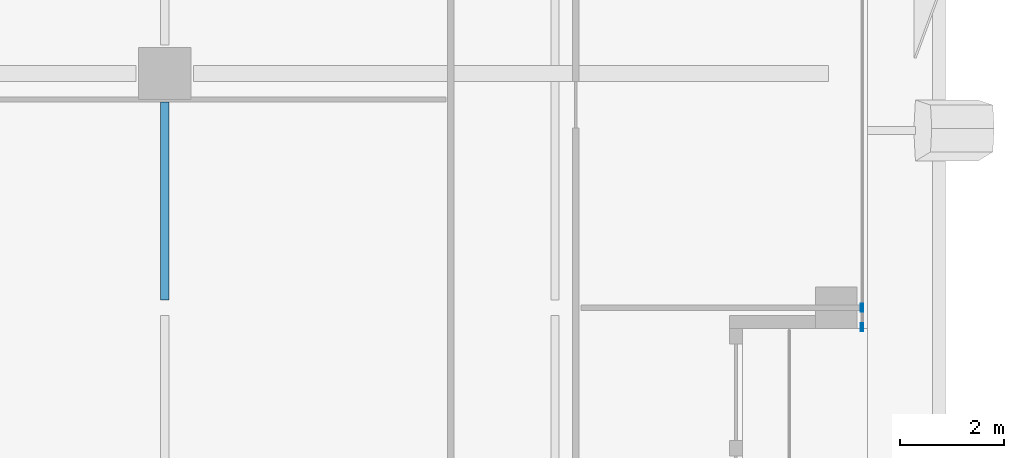
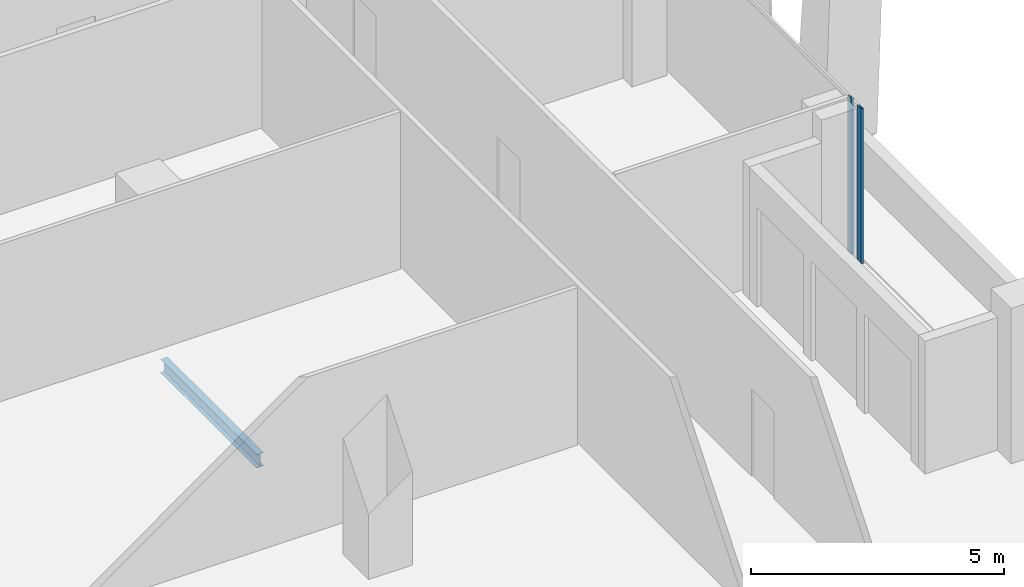
# One storey, part 10 of 32: 2 members, 1 beam, 1 element without a shape of its own.
"""IFC4 building model written with IfcOpenShell, lengths in metres."""

import ifcopenshell
import ifcopenshell.guid

model = None  # the IFC model being written
_history = None  # IfcOwnerHistory: only IFC2X3 demands one
_inside = {}  # id of a spatial element -> (the spatial element, [elements in it])
_under = {}  # id of a project, library or spatial element -> (it, [spatial elements below it])
_declared = {}  # id of a project -> (the project, [libraries it declares])
_typed = {}  # id of a type object -> (the type object, [elements of that type])
_made_of = {}  # id of a material, layer set ... -> (it, [elements and type objects made of it])


def new_model(schema):
    """Start an empty IFC model of exactly this schema.

    Asked for "IFC4X3", IfcOpenShell would pick the latest addendum, in which some entities
    have other attributes; the version numbers below select the first issue.
    IFC2X3 requires an IfcOwnerHistory on every rooted entity: one is made here for all.
    """
    global model, _history
    if schema == "IFC4X3":
        model = ifcopenshell.file(schema_version=(4, 3, 0, 0))
    else:
        model = ifcopenshell.file(schema=schema)
    _inside.clear()
    _under.clear()
    _declared.clear()
    _typed.clear()
    _made_of.clear()
    _history = None
    if model.schema == "IFC2X3":
        org = make("IfcOrganization", Name="unknown")
        user = make(
            "IfcPersonAndOrganization",
            ThePerson=make("IfcPerson", FamilyName="unknown"),
            TheOrganization=org,
        )
        app = make(
            "IfcApplication",
            ApplicationDeveloper=org,
            Version="unknown",
            ApplicationFullName="unknown",
            ApplicationIdentifier="unknown",
        )
        _history = make(
            "IfcOwnerHistory",
            OwningUser=user,
            OwningApplication=app,
            ChangeAction="ADDED",
            CreationDate=0,
        )
    return model


def make(cls, **values):
    """One entity of the class cls with the attributes given. An attribute that is None is left unset."""
    return model.create_entity(
        cls, **{name: value for name, value in values.items() if value is not None}
    )


def rooted(cls, **values):
    """An entity with a GlobalId (a new one), such as an element, a storey or a relation."""
    return make(cls, GlobalId=ifcopenshell.guid.new(), OwnerHistory=_history, **values)


def si_unit(unit_type, name, prefix=None):
    """IfcSIUnit, for example si_unit("LENGTHUNIT", "METRE", prefix="MILLI")."""
    return make("IfcSIUnit", UnitType=unit_type, Prefix=prefix, Name=name)


def assignment(units):
    """IfcUnitAssignment: the units of a project."""
    return None if units is None else make("IfcUnitAssignment", Units=units)


def point(xyz):
    """IfcCartesianPoint."""
    return None if xyz is None else make("IfcCartesianPoint", Coordinates=xyz)


def direction(xyz):
    """IfcDirection."""
    return None if xyz is None else make("IfcDirection", DirectionRatios=xyz)


def frame(location, z_axis=None, x_axis=None):
    """IfcAxis2Placement3D, a coordinate frame: its origin and axes. An axis left out is left unset."""
    return make(
        "IfcAxis2Placement3D",
        Location=point(location),
        Axis=direction(z_axis),
        RefDirection=direction(x_axis),
    )


def frame_2d(location, x_axis=None):
    """IfcAxis2Placement2D, a coordinate frame in the plane: its origin and x axis."""
    return make(
        "IfcAxis2Placement2D", Location=point(location), RefDirection=direction(x_axis)
    )


def origin():
    """The frame at (0, 0, 0) with its axes left unset."""
    return frame((0.0, 0.0, 0.0))


def origin_2d():
    """The frame at (0, 0) in the plane with its x axis left unset."""
    return frame_2d((0.0, 0.0))


def place(relative_to, where):
    """IfcLocalPlacement: puts the frame where relative to a parent placement (None: the world)."""
    return make(
        "IfcLocalPlacement", PlacementRelTo=relative_to, RelativePlacement=where
    )


def context(
    kind, dimensions, precision=None, world=None, true_north=None, identifier=None
):
    """IfcGeometricRepresentationContext, for example the 3D "Model" context."""
    return make(
        "IfcGeometricRepresentationContext",
        ContextIdentifier=identifier,
        ContextType=kind,
        CoordinateSpaceDimension=dimensions,
        Precision=precision,
        WorldCoordinateSystem=world,
        TrueNorth=true_north,
    )


def subcontext(parent, identifier, kind, view, scale=None):
    """IfcGeometricRepresentationSubContext, for example "Body" below "Model"."""
    return make(
        "IfcGeometricRepresentationSubContext",
        ContextIdentifier=identifier,
        ContextType=kind,
        ParentContext=parent,
        TargetScale=scale,
        TargetView=view,
    )


def project(units=None, contexts=None):
    """IfcProject with its units and contexts."""
    return rooted(
        "IfcProject",
        Name="project",
        RepresentationContexts=contexts,
        UnitsInContext=assignment(units),
    )


def spatial(cls, under=None, at=None, **own):
    """A site, building, storey or space (cls), placed at a placement, below another one or the project."""
    s = rooted(cls, ObjectPlacement=at, **own)
    if under is not None:
        _under.setdefault(under.id(), (under, []))[1].append(s)
    return s


def profile(cls, at=None, kind="AREA", **sizes):
    """A parametric profile (cls). Its sizes go by their IFC names, for example OverallWidth=200.0."""
    return make(cls, ProfileType=kind, Position=at, **sizes)


def hollow_rectangle(**sizes):
    """IfcRectangleHollowProfileDef."""
    return profile("IfcRectangleHollowProfileDef", **sizes)


def i_section(**sizes):
    """IfcIShapeProfileDef."""
    return profile("IfcIShapeProfileDef", **sizes)


def extrude(swept, where, along, depth):
    """IfcExtrudedAreaSolid: the profile swept, set in the frame where, extruded along a direction by depth."""
    return make(
        "IfcExtrudedAreaSolid",
        SweptArea=swept,
        Position=where,
        ExtrudedDirection=direction(along),
        Depth=depth,
    )


def shape(context_of_items, identifier, shape_type, items):
    """IfcShapeRepresentation: the items that make up one representation, for example the "Body"."""
    return make(
        "IfcShapeRepresentation",
        ContextOfItems=context_of_items,
        RepresentationIdentifier=identifier,
        RepresentationType=shape_type,
        Items=items,
    )


def source(mapping_origin, context_of_items, identifier, shape_type, items):
    """IfcRepresentationMap: a shape defined once, which mapped items show again and again."""
    return make(
        "IfcRepresentationMap",
        MappingOrigin=mapping_origin,
        MappedRepresentation=shape(context_of_items, identifier, shape_type, items),
    )


def transform(
    local_origin,
    x_axis=None,
    y_axis=None,
    z_axis=None,
    scale=None,
    scale2=None,
    scale3=None,
    uniform=True,
):
    """IfcCartesianTransformationOperator3D, or its non-uniform kind. x_axis, y_axis, z_axis: its Axis1, 2, 3."""
    if uniform:
        return make(
            "IfcCartesianTransformationOperator3D",
            Axis1=direction(x_axis),
            Axis2=direction(y_axis),
            LocalOrigin=point(local_origin),
            Scale=scale,
            Axis3=direction(z_axis),
        )
    return make(
        "IfcCartesianTransformationOperator3DnonUniform",
        Axis1=direction(x_axis),
        Axis2=direction(y_axis),
        LocalOrigin=point(local_origin),
        Scale=scale,
        Axis3=direction(z_axis),
        Scale2=scale2,
        Scale3=scale3,
    )


def mapped(mapping_source, mapping_target):
    """IfcMappedItem: shows the shape of a source again, moved by a transform."""
    return make(
        "IfcMappedItem", MappingSource=mapping_source, MappingTarget=mapping_target
    )


def material(Name=None, Category=None):
    """IfcMaterial."""
    return make("IfcMaterial", Name=Name, Category=Category)


def material_profile(
    of_material, cross_section, Name=None, Category=None, Priority=None
):
    """IfcMaterialProfile: a cross section and its material."""
    return make(
        "IfcMaterialProfile",
        Name=Name,
        Material=of_material,
        Profile=cross_section,
        Priority=Priority,
        Category=Category,
    )


def profile_set(profiles, Name=None, composite=None):
    """IfcMaterialProfileSet."""
    return make(
        "IfcMaterialProfileSet",
        Name=Name,
        MaterialProfiles=profiles,
        CompositeProfile=composite,
    )


def made_of(thing, what):
    """Note that an element or type object is made of a material, layer set ...; save() writes the relation."""
    if what is not None:
        _made_of.setdefault(what.id(), (what, []))[1].append(thing)
    return thing


def type_object(cls, material=None, **own):
    """A type object (cls), such as IfcWallType, which elements share."""
    return made_of(rooted(cls, **own), material)


def element(
    cls,
    number,
    at=None,
    inside=None,
    cuts=None,
    type_object=None,
    material=None,
    context=None,
    identifier="Body",
    shape_type=None,
    held_by="IfcProductDefinitionShape",
    body=None,
    shapes=None,
    **own,
):
    """One element of the class cls, such as IfcWall. Its Tag is "e" and its number.

    at: its placement. inside: the storey or other place that contains it. cuts: it is an
    opening in that element (IfcRelVoidsElement). A single representation is given by context,
    identifier, shape_type and body (its items); several are given by shapes. held_by: the class
    of the entity that holds the representations. save() writes the other relations.
    """
    e = rooted(cls, Tag="e%d" % number, ObjectPlacement=at, **own)
    if body is not None:
        shapes = [shape(context, identifier, shape_type, body)]
    if shapes is not None:
        e.Representation = make(held_by, Representations=shapes)
    if inside is not None:
        _inside.setdefault(inside.id(), (inside, []))[1].append(e)
    if cuts is not None:
        rooted(
            "IfcRelVoidsElement", RelatingBuildingElement=cuts, RelatedOpeningElement=e
        )
    if type_object is not None:
        _typed.setdefault(type_object.id(), (type_object, []))[1].append(e)
    return made_of(e, material)


def aggregate(whole, parts):
    """IfcRelAggregates: a whole, such as a stair, and the parts it consists of."""
    return rooted("IfcRelAggregates", RelatingObject=whole, RelatedObjects=parts)


def save(model, path):
    """Write the relations noted so far, then the file.

    IfcRelAggregates (storeys below a building ...), IfcRelContainedInSpatialStructure (elements
    in a storey), IfcRelDefinesByType, IfcRelAssociatesMaterial and IfcRelDeclares: one each for
    every whole, place, type object, material and project.
    """
    for whole, parts in _under.values():
        aggregate(whole, parts)
    for where, things in _inside.values():
        rooted(
            "IfcRelContainedInSpatialStructure",
            RelatedElements=things,
            RelatingStructure=where,
        )
    for kind, things in _typed.values():
        rooted("IfcRelDefinesByType", RelatedObjects=things, RelatingType=kind)
    for what, things in _made_of.values():
        rooted("IfcRelAssociatesMaterial", RelatedObjects=things, RelatingMaterial=what)
    for by, libraries in _declared.values():
        rooted("IfcRelDeclares", RelatingContext=by, RelatedDefinitions=libraries)
    model.write(path)


model = new_model("IFC4")

# Units and contexts
model_context = context("Model", 3, precision=1e-05, world=origin(), true_north=direction((0.0, 1.0)))
body_context = subcontext(model_context, "Body", "Model", "MODEL_VIEW")
ifc_project = project(units=[si_unit("LENGTHUNIT", "METRE"), si_unit("AREAUNIT", "SQUARE_METRE"), si_unit("VOLUMEUNIT", "CUBIC_METRE"), si_unit("PLANEANGLEUNIT", "RADIAN"), si_unit("MASSUNIT", "GRAM", prefix="KILO")], contexts=[model_context])

# Site, building, storey
site_placement = place(None, origin())
site = spatial("IfcSite", under=ifc_project, at=site_placement, CompositionType="ELEMENT")
building_placement = place(site_placement, origin())
building = spatial("IfcBuilding", under=site, at=building_placement, Name="Khomas Fold Tower", CompositionType="ELEMENT")
storey_placement = place(building_placement, frame((0.0, 0.0, 282.199951171875)))
storey = spatial("IfcBuildingStorey", under=building, at=storey_placement, Name="L63", CompositionType="ELEMENT", Elevation=282.199951171875)

# Beam
ifc_material_1 = material(Name="Steel S355", Category="steel")
ifc_material_profile_1 = material_profile(ifc_material_1, i_section(OverallWidth=0.159912109375, OverallDepth=0.330078125, WebThickness=0.007568359375, FlangeThickness=0.011474609375, at=origin_2d()), Name="IPE 330")
ifc_profile_set_1 = profile_set([ifc_material_profile_1], Name="Steel S355")
beam_type = type_object("IfcBeamType", Name="IPE 330 beam JB1", PredefinedType="BEAM", material=ifc_profile_set_1)
shared_shape_1 = source(origin(), body_context, "Body", "SweptSolid", [
    extrude(i_section(OverallWidth=0.159912109375, OverallDepth=0.330078125, WebThickness=0.007568359375, FlangeThickness=0.011474609375, at=origin_2d()), origin(), (0.0, 0.0, 1.0), 3.799072265625),
])
beam_placement = place(storey_placement, frame((34.5, 27.15087890625, -0.4150390625), z_axis=(0.0, 1.0, 0.0), x_axis=(-1.0, 0.0, 0.0)))
element("IfcBeam", 1, at=beam_placement, inside=storey, type_object=beam_type, Name="JB1", PredefinedType="BEAM", context=body_context, shape_type="MappedRepresentation", body=[
    mapped(shared_shape_1, transform((0.0, 0.0, 0.0))),
])

# Curtain wall, members
ifc_material_2 = material(Name="Aluminium framed double glazing", Category="aluminium")
curtain_wall_type = type_object("IfcCurtainWallType", Name="SK-Unitised clear-glass wall, upper floors CW3", PredefinedType="NOTDEFINED", material=ifc_material_2)
curtain_wall_placement = place(storey_placement, origin())
curtain_wall = element("IfcCurtainWall", 2, at=curtain_wall_placement, inside=storey, type_object=curtain_wall_type, Name="CW3 run L63 03-1", PredefinedType="NOTDEFINED")
ifc_material_3 = material(Name="Aluminium", Category="aluminium")
ifc_material_profile_2 = material_profile(ifc_material_3, hollow_rectangle(XDim=0.050048828125, YDim=0.159912109375, WallThickness=0.00390625, at=origin_2d()), Name="SK-Unitised clear-glass wall, upper floors mullion CW3-M")
ifc_profile_set_2 = profile_set([ifc_material_profile_2], Name="Aluminium")
member_type = type_object("IfcMemberType", Name="SK-Unitised clear-glass wall, upper floors mullion CW3-M", PredefinedType="MULLION", material=ifc_profile_set_2)
shared_shape_2 = source(origin(), body_context, "Body", "SweptSolid", [
    extrude(hollow_rectangle(XDim=0.050048828125, YDim=0.159912109375, WallThickness=0.00390625, at=origin_2d()), origin(), (0.0, 0.0, 1.0), 3.75),
])
member_1_placement = place(storey_placement, frame((47.89990234375, 26.625, 0.0), z_axis=(0.0, 0.0, 1.0), x_axis=(-1.0, 0.0, 0.0)))
member_1 = element("IfcMember", 3, at=member_1_placement, type_object=member_type, Name="CW3 mullion 1", PredefinedType="MULLION", context=body_context, shape_type="MappedRepresentation", body=[
    mapped(shared_shape_2, transform((0.0, 0.0, 0.0))),
])
member_2_placement = place(storey_placement, frame((47.89990234375, 27.0, 0.0), z_axis=(0.0, 0.0, 1.0), x_axis=(-1.0, 0.0, 0.0)))
member_2 = element("IfcMember", 4, at=member_2_placement, type_object=member_type, Name="CW3 mullion 2", PredefinedType="MULLION", context=body_context, shape_type="MappedRepresentation", body=[
    mapped(shared_shape_2, transform((0.0, 0.0, 0.0))),
])
aggregate(curtain_wall, [member_1, member_2])

save(model, "model.ifc")
